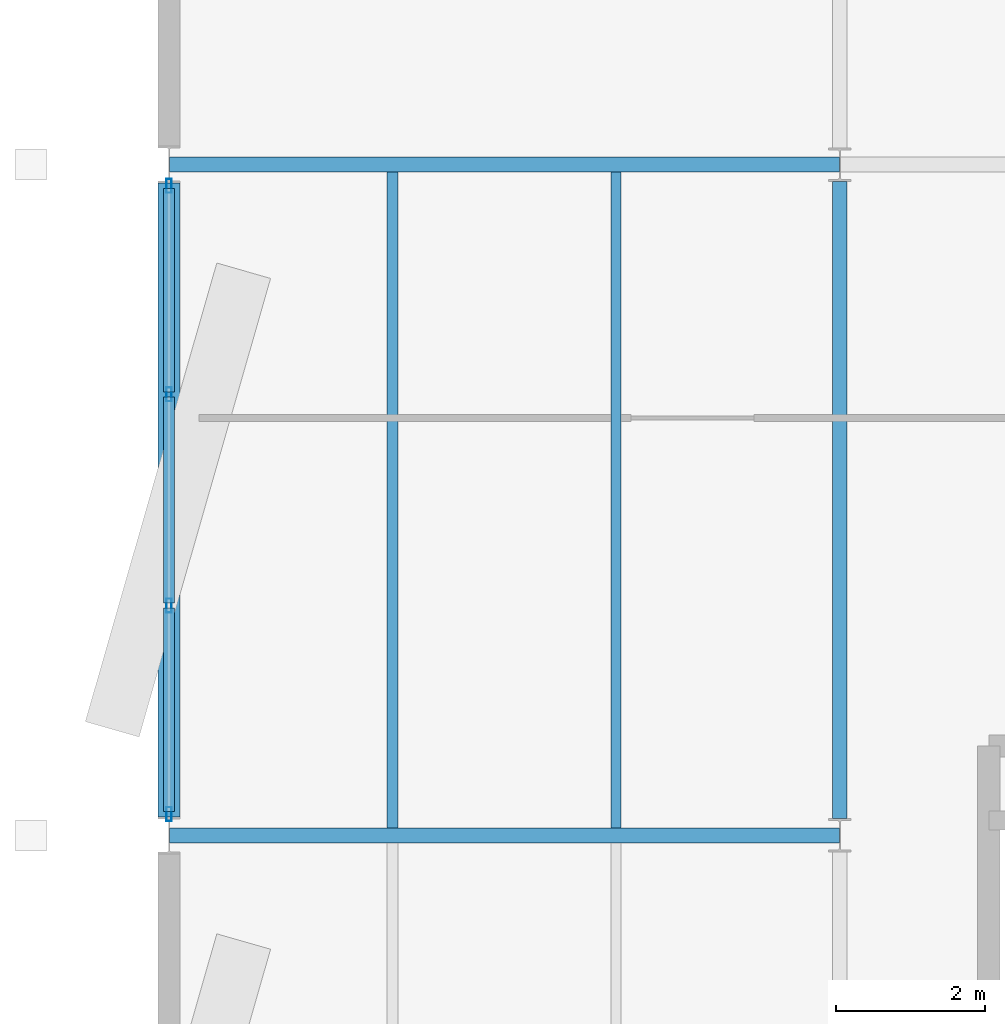
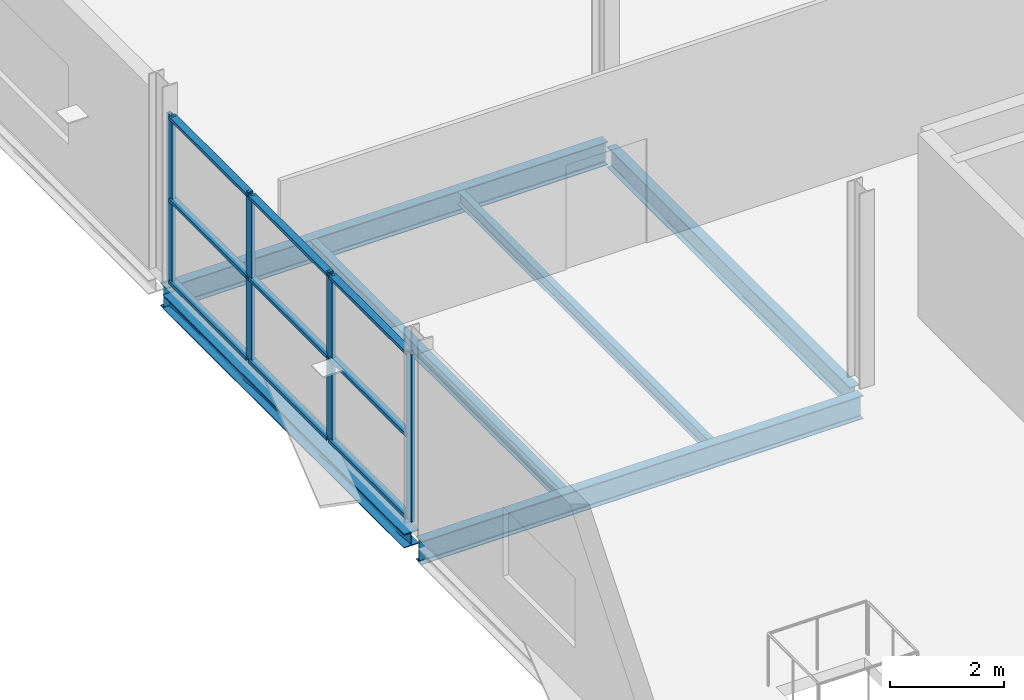
# One storey, part 63 of 132: 13 members, 6 beams, 1 element without a shape of its own.
"""IFC4 building model written with IfcOpenShell, lengths in metres."""

from ifc_helpers import new_model, si_unit, direction, frame, origin, origin_2d, place, context, subcontext, project, spatial, hollow_rectangle, i_section, extrude, material, layer, layer_set, material_profile, profile_set, type_object, element, aggregate, save


model = new_model("IFC4")

# Units and contexts
model_context = context("Model", 3, precision=1e-05, world=origin(), true_north=direction((0.0, 1.0)))
body_context = subcontext(model_context, "Body", "Model", "MODEL_VIEW")
ifc_project = project(units=[si_unit("LENGTHUNIT", "METRE"), si_unit("AREAUNIT", "SQUARE_METRE"), si_unit("VOLUMEUNIT", "CUBIC_METRE"), si_unit("PLANEANGLEUNIT", "RADIAN"), si_unit("MASSUNIT", "GRAM", prefix="KILO")], contexts=[model_context])

# Site, building, storey
site_placement = place(None, origin())
site = spatial("IfcSite", under=ifc_project, at=site_placement, CompositionType="ELEMENT")
building_placement = place(site_placement, origin())
building = spatial("IfcBuilding", under=site, at=building_placement, Name="Deido Ridge Mobility Hub", CompositionType="ELEMENT")
storey_placement = place(building_placement, frame((0.0, 0.0, 8.39990234375)))
storey = spatial("IfcBuildingStorey", under=building, at=storey_placement, Name="L02", CompositionType="ELEMENT", Elevation=8.39990234375)

# Beams
ifc_material_1 = material(Name="Steel S355J2 EN 10025-2", Category="steel")
ifc_material_profile_1 = material_profile(ifc_material_1, i_section(OverallWidth=0.18994140625, OverallDepth=0.449951171875, WebThickness=0.009521484375, FlangeThickness=0.0146484375, FilletRadius=0.02099609375, at=origin_2d()), Name="IPE 450")
ifc_profile_set_1 = profile_set([ifc_material_profile_1], Name="Steel S355J2 EN 10025-2")
beam_type_1 = type_object("IfcBeamType", Name="BM-IPE450", PredefinedType="BEAM", material=ifc_profile_set_1)
beam_1_placement = place(storey_placement, frame((9.0, 63.22509765625, -0.47998046875), z_axis=(0.0, 1.0, 0.0), x_axis=(-1.0, 0.0, 0.0)))
element("IfcBeam", 1, at=beam_1_placement, inside=storey, type_object=beam_type_1, Name="Floor beam B4", PredefinedType="BEAM", context=body_context, shape_type="SweptSolid", body=[
    extrude(i_section(OverallWidth=0.18994140625, OverallDepth=0.449951171875, WebThickness=0.009521484375, FlangeThickness=0.0146484375, FilletRadius=0.02099609375, at=origin_2d()), origin(), (0.0, 0.0, 1.0), 8.5498046875),
])
ifc_material_profile_2 = material_profile(ifc_material_1, i_section(OverallWidth=0.199951171875, OverallDepth=0.5, WebThickness=0.01025390625, FlangeThickness=0.01611328125, FilletRadius=0.02099609375, at=origin_2d()), Name="IPE 500")
ifc_profile_set_2 = profile_set([ifc_material_profile_2], Name="Steel S355J2 EN 10025-2")
beam_type_2 = type_object("IfcBeamType", Name="BM-IPE500", PredefinedType="BEAM", material=ifc_profile_set_2)
for number, where, z_axis, x_axis, name in (
    (2, (0.00732421875, 63.0, -0.5048828125), (1.0, 0.0, 0.0), (0.0, 1.0, 0.0), "Floor beam B3"),
    (3, (0.00732421875, 72.0, -0.5048828125), (1.0, 0.0, 0.0), (0.0, 1.0, 0.0), "Floor beam B3"),
):
    element("IfcBeam", number, at=place(storey_placement, frame(where, z_axis=z_axis, x_axis=x_axis)), inside=storey, type_object=beam_type_2, Name=name, PredefinedType="BEAM", context=body_context, shape_type="SweptSolid", body=[
        extrude(i_section(OverallWidth=0.199951171875, OverallDepth=0.5, WebThickness=0.01025390625, FlangeThickness=0.01611328125, FilletRadius=0.02099609375, at=origin_2d()), origin(), (0.0, 0.0, 1.0), 8.985595703125),
    ])
ifc_material_profile_3 = material_profile(ifc_material_1, i_section(OverallWidth=0.135009765625, OverallDepth=0.27001953125, WebThickness=0.006591796875, FlangeThickness=0.01025390625, FilletRadius=0.014892578125, at=origin_2d()), Name="IPE 270")
ifc_profile_set_3 = profile_set([ifc_material_profile_3], Name="Steel S355J2 EN 10025-2")
beam_type_3 = type_object("IfcBeamType", Name="JST-IPE270", PredefinedType="JOIST", material=ifc_profile_set_3)
beam_2_placement = place(storey_placement, frame((6.0, 63.10009765625, -0.389892578125), z_axis=(0.0, 1.0, 0.0), x_axis=(-1.0, 0.0, 0.0)))
element("IfcBeam", 4, at=beam_2_placement, inside=storey, type_object=beam_type_3, Name="Composite joist J4", PredefinedType="JOIST", context=body_context, shape_type="SweptSolid", body=[
    extrude(i_section(OverallWidth=0.135009765625, OverallDepth=0.27001953125, WebThickness=0.006591796875, FlangeThickness=0.01025390625, FilletRadius=0.014892578125, at=origin_2d()), origin(), (0.0, 0.0, 1.0), 8.7998046875),
])
ifc_material_profile_4 = material_profile(ifc_material_1, i_section(OverallWidth=0.14990234375, OverallDepth=0.300048828125, WebThickness=0.007080078125, FlangeThickness=0.0107421875, FilletRadius=0.014892578125, at=origin_2d()), Name="IPE 300")
ifc_profile_set_4 = profile_set([ifc_material_profile_4], Name="Steel S355J2 EN 10025-2")
beam_type_4 = type_object("IfcBeamType", Name="JST-IPE300", PredefinedType="JOIST", material=ifc_profile_set_4)
beam_3_placement = place(storey_placement, frame((3.0, 63.10009765625, -0.40478515625), z_axis=(0.0, 1.0, 0.0), x_axis=(-1.0, 0.0, 0.0)))
element("IfcBeam", 5, at=beam_3_placement, inside=storey, type_object=beam_type_4, Name="Composite joist J3", PredefinedType="JOIST", context=body_context, shape_type="SweptSolid", body=[
    extrude(i_section(OverallWidth=0.14990234375, OverallDepth=0.300048828125, WebThickness=0.007080078125, FlangeThickness=0.0107421875, FilletRadius=0.014892578125, at=origin_2d()), origin(), (0.0, 0.0, 1.0), 8.7998046875),
])

# Curtain wall, members
ifc_material_2 = material(Name="Anodised aluminium EN AW-6063 T6", Category="aluminium")
ifc_layer = layer(ifc_material_2, 0.22509765625, Name="Anodised aluminium EN AW-6063 T6")
ifc_layer_set = layer_set([ifc_layer], Name="Anodised aluminium EN AW-6063 T6")
curtain_wall_type = type_object("IfcCurtainWallType", Name="CW-UF-5", PredefinedType="USERDEFINED", material=ifc_layer_set)
curtain_wall_placement = place(storey_placement, origin())
curtain_wall = element("IfcCurtainWall", 6, at=curtain_wall_placement, inside=storey, type_object=curtain_wall_type, Name="Unitised curtain wall CW5", ObjectType="UNITISED FACADE", PredefinedType="USERDEFINED")
ifc_material_profile_5 = material_profile(ifc_material_2, hollow_rectangle(XDim=0.070068359375, YDim=0.18994140625, WallThickness=0.00390625, at=origin_2d()), Name="RHS 70x190x4")
ifc_profile_set_5 = profile_set([ifc_material_profile_5], Name="Anodised aluminium EN AW-6063 T6")
member_type_1 = type_object("IfcMemberType", Name="MEM-MUL-70X190", PredefinedType="MULLION", material=ifc_profile_set_5)
member_1_placement = place(storey_placement, frame((0.0, 63.284912109375, 0.0), z_axis=(0.0, 0.0, 1.0), x_axis=(-1.0, 0.0, 0.0)))
member_1 = element("IfcMember", 7, at=member_1_placement, type_object=member_type_1, Name="CW5 mullion 1", PredefinedType="MULLION", context=body_context, shape_type="SweptSolid", body=[
    extrude(hollow_rectangle(XDim=0.070068359375, YDim=0.18994140625, WallThickness=0.00390625, at=origin_2d()), origin(), (0.0, 0.0, 1.0), 3.60009765625),
])
member_2_placement = place(storey_placement, frame((0.0, 66.083251953125, 0.0), z_axis=(0.0, 0.0, 1.0), x_axis=(-1.0, 0.0, 0.0)))
member_2 = element("IfcMember", 8, at=member_2_placement, type_object=member_type_1, Name="CW5 mullion 2", PredefinedType="MULLION", context=body_context, shape_type="SweptSolid", body=[
    extrude(hollow_rectangle(XDim=0.070068359375, YDim=0.18994140625, WallThickness=0.00390625, at=origin_2d()), origin(), (0.0, 0.0, 1.0), 3.60009765625),
])
member_3_placement = place(storey_placement, frame((0.0, 68.916748046875, 0.0), z_axis=(0.0, 0.0, 1.0), x_axis=(-1.0, 0.0, 0.0)))
member_3 = element("IfcMember", 9, at=member_3_placement, type_object=member_type_1, Name="CW5 mullion 3", PredefinedType="MULLION", context=body_context, shape_type="SweptSolid", body=[
    extrude(hollow_rectangle(XDim=0.070068359375, YDim=0.18994140625, WallThickness=0.00390625, at=origin_2d()), origin(), (0.0, 0.0, 1.0), 3.60009765625),
])
member_4_placement = place(storey_placement, frame((0.0, 71.715087890625, 0.0), z_axis=(0.0, 0.0, 1.0), x_axis=(-1.0, 0.0, 0.0)))
member_4 = element("IfcMember", 10, at=member_4_placement, type_object=member_type_1, Name="CW5 mullion 4", PredefinedType="MULLION", context=body_context, shape_type="SweptSolid", body=[
    extrude(hollow_rectangle(XDim=0.070068359375, YDim=0.18994140625, WallThickness=0.00390625, at=origin_2d()), origin(), (0.0, 0.0, 1.0), 3.60009765625),
])
ifc_material_profile_6 = material_profile(ifc_material_2, hollow_rectangle(XDim=0.14501953125, YDim=0.070068359375, WallThickness=0.00390625, at=origin_2d()), Name="RHS 145x70x4")
ifc_profile_set_6 = profile_set([ifc_material_profile_6], Name="Anodised aluminium EN AW-6063 T6")
member_type_2 = type_object("IfcMemberType", Name="MEM-TRN-145X70", PredefinedType="USERDEFINED", material=ifc_profile_set_6)
member_5_placement = place(storey_placement, frame((0.0, 63.320068359375, 0.03515625), z_axis=(0.0, 1.0, 0.0), x_axis=(-1.0, 0.0, 0.0)))
member_5 = element("IfcMember", 11, at=member_5_placement, type_object=member_type_2, Name="CW5 transom 1.1", ObjectType="TRANSOM", PredefinedType="USERDEFINED", context=body_context, shape_type="SweptSolid", body=[
    extrude(hollow_rectangle(XDim=0.14501953125, YDim=0.070068359375, WallThickness=0.00390625, at=origin_2d()), origin(), (0.0, 0.0, 1.0), 2.728271484375),
])
member_6_placement = place(storey_placement, frame((0.0, 63.320068359375, 1.800048828125), z_axis=(0.0, 1.0, 0.0), x_axis=(-1.0, 0.0, 0.0)))
member_6 = element("IfcMember", 12, at=member_6_placement, type_object=member_type_2, Name="CW5 transom 1.2", ObjectType="TRANSOM", PredefinedType="USERDEFINED", context=body_context, shape_type="SweptSolid", body=[
    extrude(hollow_rectangle(XDim=0.14501953125, YDim=0.070068359375, WallThickness=0.00390625, at=origin_2d()), origin(), (0.0, 0.0, 1.0), 2.728271484375),
])
member_7_placement = place(storey_placement, frame((0.0, 63.320068359375, 3.565185546875), z_axis=(0.0, 1.0, 0.0), x_axis=(-1.0, 0.0, 0.0)))
member_7 = element("IfcMember", 13, at=member_7_placement, type_object=member_type_2, Name="CW5 transom 1.3", ObjectType="TRANSOM", PredefinedType="USERDEFINED", context=body_context, shape_type="SweptSolid", body=[
    extrude(hollow_rectangle(XDim=0.14501953125, YDim=0.070068359375, WallThickness=0.00390625, at=origin_2d()), origin(), (0.0, 0.0, 1.0), 2.728271484375),
])
member_8_placement = place(storey_placement, frame((0.0, 66.118408203125, 0.03515625), z_axis=(0.0, 1.0, 0.0), x_axis=(-1.0, 0.0, 0.0)))
member_8 = element("IfcMember", 14, at=member_8_placement, type_object=member_type_2, Name="CW5 transom 2.1", ObjectType="TRANSOM", PredefinedType="USERDEFINED", context=body_context, shape_type="SweptSolid", body=[
    extrude(hollow_rectangle(XDim=0.14501953125, YDim=0.070068359375, WallThickness=0.00390625, at=origin_2d()), origin(), (0.0, 0.0, 1.0), 2.76318359375),
])
member_9_placement = place(storey_placement, frame((0.0, 66.118408203125, 1.800048828125), z_axis=(0.0, 1.0, 0.0), x_axis=(-1.0, 0.0, 0.0)))
member_9 = element("IfcMember", 15, at=member_9_placement, type_object=member_type_2, Name="CW5 transom 2.2", ObjectType="TRANSOM", PredefinedType="USERDEFINED", context=body_context, shape_type="SweptSolid", body=[
    extrude(hollow_rectangle(XDim=0.14501953125, YDim=0.070068359375, WallThickness=0.00390625, at=origin_2d()), origin(), (0.0, 0.0, 1.0), 2.76318359375),
])
member_10_placement = place(storey_placement, frame((0.0, 66.118408203125, 3.565185546875), z_axis=(0.0, 1.0, 0.0), x_axis=(-1.0, 0.0, 0.0)))
member_10 = element("IfcMember", 16, at=member_10_placement, type_object=member_type_2, Name="CW5 transom 2.3", ObjectType="TRANSOM", PredefinedType="USERDEFINED", context=body_context, shape_type="SweptSolid", body=[
    extrude(hollow_rectangle(XDim=0.14501953125, YDim=0.070068359375, WallThickness=0.00390625, at=origin_2d()), origin(), (0.0, 0.0, 1.0), 2.76318359375),
])
member_11_placement = place(storey_placement, frame((0.0, 68.95166015625, 0.03515625), z_axis=(0.0, 1.0, 0.0), x_axis=(-1.0, 0.0, 0.0)))
member_11 = element("IfcMember", 17, at=member_11_placement, type_object=member_type_2, Name="CW5 transom 3.1", ObjectType="TRANSOM", PredefinedType="USERDEFINED", context=body_context, shape_type="SweptSolid", body=[
    extrude(hollow_rectangle(XDim=0.14501953125, YDim=0.070068359375, WallThickness=0.00390625, at=origin_2d()), origin(), (0.0, 0.0, 1.0), 2.728271484375),
])
member_12_placement = place(storey_placement, frame((0.0, 68.95166015625, 1.800048828125), z_axis=(0.0, 1.0, 0.0), x_axis=(-1.0, 0.0, 0.0)))
member_12 = element("IfcMember", 18, at=member_12_placement, type_object=member_type_2, Name="CW5 transom 3.2", ObjectType="TRANSOM", PredefinedType="USERDEFINED", context=body_context, shape_type="SweptSolid", body=[
    extrude(hollow_rectangle(XDim=0.14501953125, YDim=0.070068359375, WallThickness=0.00390625, at=origin_2d()), origin(), (0.0, 0.0, 1.0), 2.728271484375),
])
member_13_placement = place(storey_placement, frame((0.0, 68.95166015625, 3.565185546875), z_axis=(0.0, 1.0, 0.0), x_axis=(-1.0, 0.0, 0.0)))
member_13 = element("IfcMember", 19, at=member_13_placement, type_object=member_type_2, Name="CW5 transom 3.3", ObjectType="TRANSOM", PredefinedType="USERDEFINED", context=body_context, shape_type="SweptSolid", body=[
    extrude(hollow_rectangle(XDim=0.14501953125, YDim=0.070068359375, WallThickness=0.00390625, at=origin_2d()), origin(), (0.0, 0.0, 1.0), 2.728271484375),
])
aggregate(curtain_wall, [member_1, member_2, member_3, member_4, member_5, member_6, member_7, member_8, member_9, member_10, member_11, member_12, member_13])

# Beam
ifc_material_profile_7 = material_profile(ifc_material_1, i_section(OverallWidth=0.300048828125, OverallDepth=0.300048828125, WebThickness=0.010986328125, FlangeThickness=0.01904296875, FilletRadius=0.027099609375, at=origin_2d()), Name="HEB 300")
ifc_profile_set_7 = profile_set([ifc_material_profile_7], Name="Steel S355J2 EN 10025-2")
beam_type_5 = type_object("IfcBeamType", Name="SPD-HEB300", PredefinedType="SPANDREL", material=ifc_profile_set_7)
beam_4_placement = place(storey_placement, frame((0.0, 63.25, -0.40478515625), z_axis=(0.0, 1.0, 0.0), x_axis=(-1.0, 0.0, 0.0)))
element("IfcBeam", 20, at=beam_4_placement, inside=storey, type_object=beam_type_5, Name="Floor beam SP1", PredefinedType="SPANDREL", context=body_context, shape_type="SweptSolid", body=[
    extrude(i_section(OverallWidth=0.300048828125, OverallDepth=0.300048828125, WebThickness=0.010986328125, FlangeThickness=0.01904296875, FilletRadius=0.027099609375, at=origin_2d()), origin(), (0.0, 0.0, 1.0), 8.5),
])

save(model, "model.ifc")
